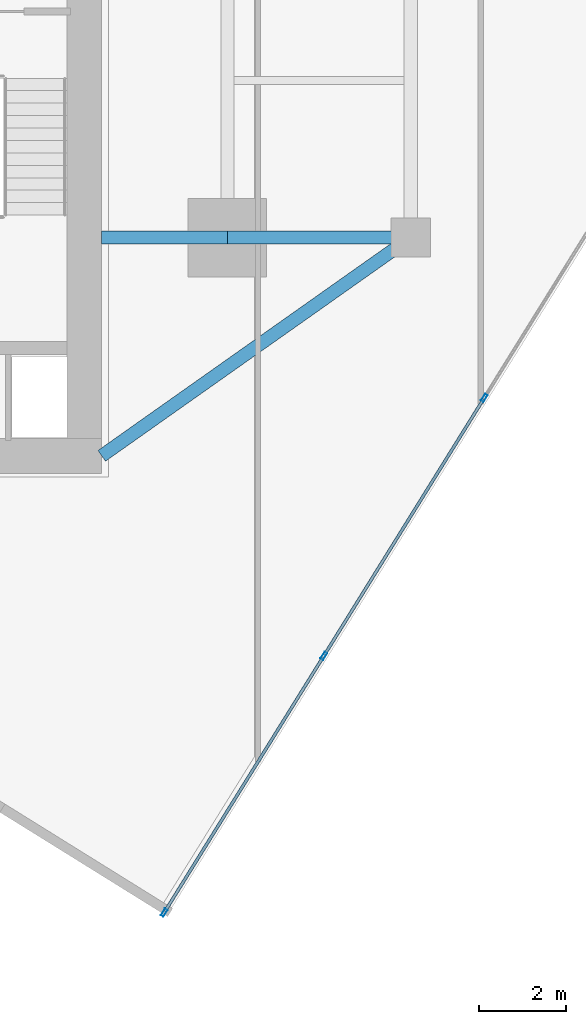
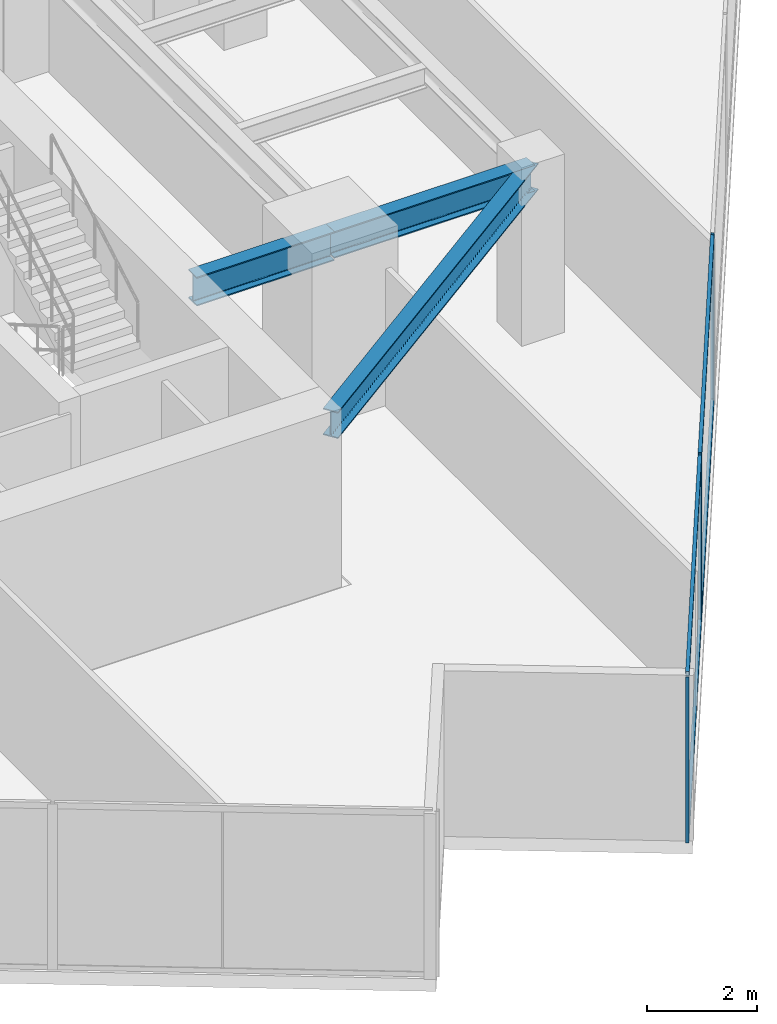
# One storey, part 9 of 26: 7 members, 3 beams, 1 element without a shape of its own.
"""IFC4 building model written with IfcOpenShell, lengths in metres."""

import ifcopenshell
import ifcopenshell.guid

model = None  # the IFC model being written
_history = None  # IfcOwnerHistory: only IFC2X3 demands one
_inside = {}  # id of a spatial element -> (the spatial element, [elements in it])
_under = {}  # id of a project, library or spatial element -> (it, [spatial elements below it])
_declared = {}  # id of a project -> (the project, [libraries it declares])
_typed = {}  # id of a type object -> (the type object, [elements of that type])
_made_of = {}  # id of a material, layer set ... -> (it, [elements and type objects made of it])


def new_model(schema):
    """Start an empty IFC model of exactly this schema.

    Asked for "IFC4X3", IfcOpenShell would pick the latest addendum, in which some entities
    have other attributes; the version numbers below select the first issue.
    IFC2X3 requires an IfcOwnerHistory on every rooted entity: one is made here for all.
    """
    global model, _history
    if schema == "IFC4X3":
        model = ifcopenshell.file(schema_version=(4, 3, 0, 0))
    else:
        model = ifcopenshell.file(schema=schema)
    _inside.clear()
    _under.clear()
    _declared.clear()
    _typed.clear()
    _made_of.clear()
    _history = None
    if model.schema == "IFC2X3":
        org = make("IfcOrganization", Name="unknown")
        user = make(
            "IfcPersonAndOrganization",
            ThePerson=make("IfcPerson", FamilyName="unknown"),
            TheOrganization=org,
        )
        app = make(
            "IfcApplication",
            ApplicationDeveloper=org,
            Version="unknown",
            ApplicationFullName="unknown",
            ApplicationIdentifier="unknown",
        )
        _history = make(
            "IfcOwnerHistory",
            OwningUser=user,
            OwningApplication=app,
            ChangeAction="ADDED",
            CreationDate=0,
        )
    return model


def make(cls, **values):
    """One entity of the class cls with the attributes given. An attribute that is None is left unset."""
    return model.create_entity(
        cls, **{name: value for name, value in values.items() if value is not None}
    )


def rooted(cls, **values):
    """An entity with a GlobalId (a new one), such as an element, a storey or a relation."""
    return make(cls, GlobalId=ifcopenshell.guid.new(), OwnerHistory=_history, **values)


def si_unit(unit_type, name, prefix=None):
    """IfcSIUnit, for example si_unit("LENGTHUNIT", "METRE", prefix="MILLI")."""
    return make("IfcSIUnit", UnitType=unit_type, Prefix=prefix, Name=name)


def assignment(units):
    """IfcUnitAssignment: the units of a project."""
    return None if units is None else make("IfcUnitAssignment", Units=units)


def point(xyz):
    """IfcCartesianPoint."""
    return None if xyz is None else make("IfcCartesianPoint", Coordinates=xyz)


def direction(xyz):
    """IfcDirection."""
    return None if xyz is None else make("IfcDirection", DirectionRatios=xyz)


def frame(location, z_axis=None, x_axis=None):
    """IfcAxis2Placement3D, a coordinate frame: its origin and axes. An axis left out is left unset."""
    return make(
        "IfcAxis2Placement3D",
        Location=point(location),
        Axis=direction(z_axis),
        RefDirection=direction(x_axis),
    )


def frame_2d(location, x_axis=None):
    """IfcAxis2Placement2D, a coordinate frame in the plane: its origin and x axis."""
    return make(
        "IfcAxis2Placement2D", Location=point(location), RefDirection=direction(x_axis)
    )


def origin():
    """The frame at (0, 0, 0) with its axes left unset."""
    return frame((0.0, 0.0, 0.0))


def origin_2d():
    """The frame at (0, 0) in the plane with its x axis left unset."""
    return frame_2d((0.0, 0.0))


def place(relative_to, where):
    """IfcLocalPlacement: puts the frame where relative to a parent placement (None: the world)."""
    return make(
        "IfcLocalPlacement", PlacementRelTo=relative_to, RelativePlacement=where
    )


def context(
    kind, dimensions, precision=None, world=None, true_north=None, identifier=None
):
    """IfcGeometricRepresentationContext, for example the 3D "Model" context."""
    return make(
        "IfcGeometricRepresentationContext",
        ContextIdentifier=identifier,
        ContextType=kind,
        CoordinateSpaceDimension=dimensions,
        Precision=precision,
        WorldCoordinateSystem=world,
        TrueNorth=true_north,
    )


def subcontext(parent, identifier, kind, view, scale=None):
    """IfcGeometricRepresentationSubContext, for example "Body" below "Model"."""
    return make(
        "IfcGeometricRepresentationSubContext",
        ContextIdentifier=identifier,
        ContextType=kind,
        ParentContext=parent,
        TargetScale=scale,
        TargetView=view,
    )


def project(units=None, contexts=None):
    """IfcProject with its units and contexts."""
    return rooted(
        "IfcProject",
        Name="project",
        RepresentationContexts=contexts,
        UnitsInContext=assignment(units),
    )


def spatial(cls, under=None, at=None, **own):
    """A site, building, storey or space (cls), placed at a placement, below another one or the project."""
    s = rooted(cls, ObjectPlacement=at, **own)
    if under is not None:
        _under.setdefault(under.id(), (under, []))[1].append(s)
    return s


def profile(cls, at=None, kind="AREA", **sizes):
    """A parametric profile (cls). Its sizes go by their IFC names, for example OverallWidth=200.0."""
    return make(cls, ProfileType=kind, Position=at, **sizes)


def hollow_rectangle(**sizes):
    """IfcRectangleHollowProfileDef."""
    return profile("IfcRectangleHollowProfileDef", **sizes)


def i_section(**sizes):
    """IfcIShapeProfileDef."""
    return profile("IfcIShapeProfileDef", **sizes)


def extrude(swept, where, along, depth):
    """IfcExtrudedAreaSolid: the profile swept, set in the frame where, extruded along a direction by depth."""
    return make(
        "IfcExtrudedAreaSolid",
        SweptArea=swept,
        Position=where,
        ExtrudedDirection=direction(along),
        Depth=depth,
    )


def shape(context_of_items, identifier, shape_type, items):
    """IfcShapeRepresentation: the items that make up one representation, for example the "Body"."""
    return make(
        "IfcShapeRepresentation",
        ContextOfItems=context_of_items,
        RepresentationIdentifier=identifier,
        RepresentationType=shape_type,
        Items=items,
    )


def source(mapping_origin, context_of_items, identifier, shape_type, items):
    """IfcRepresentationMap: a shape defined once, which mapped items show again and again."""
    return make(
        "IfcRepresentationMap",
        MappingOrigin=mapping_origin,
        MappedRepresentation=shape(context_of_items, identifier, shape_type, items),
    )


def transform(
    local_origin,
    x_axis=None,
    y_axis=None,
    z_axis=None,
    scale=None,
    scale2=None,
    scale3=None,
    uniform=True,
):
    """IfcCartesianTransformationOperator3D, or its non-uniform kind. x_axis, y_axis, z_axis: its Axis1, 2, 3."""
    if uniform:
        return make(
            "IfcCartesianTransformationOperator3D",
            Axis1=direction(x_axis),
            Axis2=direction(y_axis),
            LocalOrigin=point(local_origin),
            Scale=scale,
            Axis3=direction(z_axis),
        )
    return make(
        "IfcCartesianTransformationOperator3DnonUniform",
        Axis1=direction(x_axis),
        Axis2=direction(y_axis),
        LocalOrigin=point(local_origin),
        Scale=scale,
        Axis3=direction(z_axis),
        Scale2=scale2,
        Scale3=scale3,
    )


def mapped(mapping_source, mapping_target):
    """IfcMappedItem: shows the shape of a source again, moved by a transform."""
    return make(
        "IfcMappedItem", MappingSource=mapping_source, MappingTarget=mapping_target
    )


def material(Name=None, Category=None):
    """IfcMaterial."""
    return make("IfcMaterial", Name=Name, Category=Category)


def material_profile(
    of_material, cross_section, Name=None, Category=None, Priority=None
):
    """IfcMaterialProfile: a cross section and its material."""
    return make(
        "IfcMaterialProfile",
        Name=Name,
        Material=of_material,
        Profile=cross_section,
        Priority=Priority,
        Category=Category,
    )


def profile_set(profiles, Name=None, composite=None):
    """IfcMaterialProfileSet."""
    return make(
        "IfcMaterialProfileSet",
        Name=Name,
        MaterialProfiles=profiles,
        CompositeProfile=composite,
    )


def made_of(thing, what):
    """Note that an element or type object is made of a material, layer set ...; save() writes the relation."""
    if what is not None:
        _made_of.setdefault(what.id(), (what, []))[1].append(thing)
    return thing


def type_object(cls, material=None, **own):
    """A type object (cls), such as IfcWallType, which elements share."""
    return made_of(rooted(cls, **own), material)


def type_shapes(of_type, sources):
    """Give a type object the sources (RepresentationMaps) that its elements show as mapped items."""
    of_type.RepresentationMaps = sources


def element(
    cls,
    number,
    at=None,
    inside=None,
    cuts=None,
    type_object=None,
    material=None,
    context=None,
    identifier="Body",
    shape_type=None,
    held_by="IfcProductDefinitionShape",
    body=None,
    shapes=None,
    **own,
):
    """One element of the class cls, such as IfcWall. Its Tag is "e" and its number.

    at: its placement. inside: the storey or other place that contains it. cuts: it is an
    opening in that element (IfcRelVoidsElement). A single representation is given by context,
    identifier, shape_type and body (its items); several are given by shapes. held_by: the class
    of the entity that holds the representations. save() writes the other relations.
    """
    e = rooted(cls, Tag="e%d" % number, ObjectPlacement=at, **own)
    if body is not None:
        shapes = [shape(context, identifier, shape_type, body)]
    if shapes is not None:
        e.Representation = make(held_by, Representations=shapes)
    if inside is not None:
        _inside.setdefault(inside.id(), (inside, []))[1].append(e)
    if cuts is not None:
        rooted(
            "IfcRelVoidsElement", RelatingBuildingElement=cuts, RelatedOpeningElement=e
        )
    if type_object is not None:
        _typed.setdefault(type_object.id(), (type_object, []))[1].append(e)
    return made_of(e, material)


def aggregate(whole, parts):
    """IfcRelAggregates: a whole, such as a stair, and the parts it consists of."""
    return rooted("IfcRelAggregates", RelatingObject=whole, RelatedObjects=parts)


def save(model, path):
    """Write the relations noted so far, then the file.

    IfcRelAggregates (storeys below a building ...), IfcRelContainedInSpatialStructure (elements
    in a storey), IfcRelDefinesByType, IfcRelAssociatesMaterial and IfcRelDeclares: one each for
    every whole, place, type object, material and project.
    """
    for whole, parts in _under.values():
        aggregate(whole, parts)
    for where, things in _inside.values():
        rooted(
            "IfcRelContainedInSpatialStructure",
            RelatedElements=things,
            RelatingStructure=where,
        )
    for kind, things in _typed.values():
        rooted("IfcRelDefinesByType", RelatedObjects=things, RelatingType=kind)
    for what, things in _made_of.values():
        rooted("IfcRelAssociatesMaterial", RelatedObjects=things, RelatingMaterial=what)
    for by, libraries in _declared.values():
        rooted("IfcRelDeclares", RelatingContext=by, RelatedDefinitions=libraries)
    model.write(path)


model = new_model("IFC4")

# Units and contexts
model_context = context("Model", 3, precision=1e-05, world=origin(), true_north=direction((0.0, 1.0)))
body_context = subcontext(model_context, "Body", "Model", "MODEL_VIEW")
ifc_project = project(units=[si_unit("LENGTHUNIT", "METRE"), si_unit("AREAUNIT", "SQUARE_METRE"), si_unit("VOLUMEUNIT", "CUBIC_METRE"), si_unit("PLANEANGLEUNIT", "RADIAN"), si_unit("MASSUNIT", "GRAM", prefix="KILO")], contexts=[model_context])

# Site, building, storey
site_placement = place(None, origin())
site = spatial("IfcSite", under=ifc_project, at=site_placement, CompositionType="ELEMENT")
building_placement = place(site_placement, origin())
building = spatial("IfcBuilding", under=site, at=building_placement, Name="Krantzveldt Concourse Tower", CompositionType="ELEMENT")
storey_placement = place(building_placement, frame((0.0, 0.0, 173.85009765625)))
storey = spatial("IfcBuildingStorey", under=building, at=storey_placement, Name="L42", CompositionType="ELEMENT", Elevation=173.85009765625)

# Beams
ifc_material_1 = material(Name="Steel S355JR", Category="steel")
ifc_material_profile_1 = material_profile(ifc_material_1, i_section(OverallWidth=0.300048828125, OverallDepth=0.590087890625, WebThickness=0.012939453125, FlangeThickness=0.02490234375, FilletRadius=0.027099609375, at=origin_2d()), Name="Steel S355JR", Category="steel")
ifc_profile_set_1 = profile_set([ifc_material_profile_1], Name="Steel S355JR - HEA 600")
beam_type_1 = type_object("IfcBeamType", Name="BM-B-HEA600", PredefinedType="BEAM", material=ifc_profile_set_1)
shared_shape_1 = source(origin(), body_context, "Body", "SweptSolid", [
    extrude(i_section(OverallWidth=0.300048828125, OverallDepth=0.590087890625, WebThickness=0.012939453125, FlangeThickness=0.02490234375, FilletRadius=0.027099609375, at=origin_2d()), origin(), (0.0, 0.0, 1.0), 4.199951171875),
])
beam_1_placement = place(storey_placement, frame((46.800048828125, 15.89990234375, 3.375), z_axis=(1.0, 0.0, 0.0), x_axis=(0.0, 1.0, 0.0)))
element("IfcBeam", 1, at=beam_1_placement, inside=storey, type_object=beam_type_1, Name="L42 Tower Girder BR-RR1", PredefinedType="BEAM", context=body_context, shape_type="MappedRepresentation", body=[
    mapped(shared_shape_1, transform((0.0, 0.0, 0.0), x_axis=(1.0, 0.0, 0.0), y_axis=(0.0, 1.0, 0.0), z_axis=(0.0, 0.0, 1.0), scale=1.0)),
])
shared_shape_2 = source(origin(), body_context, "Body", "SweptSolid", [
    extrude(i_section(OverallWidth=0.300048828125, OverallDepth=0.590087890625, WebThickness=0.012939453125, FlangeThickness=0.02490234375, FilletRadius=0.027099609375, at=origin_2d()), origin(), (0.0, 0.0, 1.0), 8.667724609375),
])
type_shapes(beam_type_1, [shared_shape_1, shared_shape_2])
beam_2_placement = place(storey_placement, frame((51.0, 15.89990234375, 3.375), z_axis=(-0.81684294656, -0.576860122261, 0.0), x_axis=(0.576860122261, -0.81684294656, 0.0)))
element("IfcBeam", 2, at=beam_2_placement, inside=storey, type_object=beam_type_1, Name="L42 Tower Girder BR-CSE", PredefinedType="BEAM", context=body_context, shape_type="MappedRepresentation", body=[
    mapped(shared_shape_2, transform((0.0, 0.0, 0.0), x_axis=(1.0, 0.0, 0.0), y_axis=(0.0, 1.0, 0.0), z_axis=(0.0, 0.0, 1.0), scale=1.0)),
])
ifc_material_profile_2 = material_profile(ifc_material_1, i_section(OverallWidth=0.300048828125, OverallDepth=0.639892578125, WebThickness=0.013427734375, FlangeThickness=0.02587890625, FilletRadius=0.027099609375, at=origin_2d()), Name="Steel S355JR", Category="steel")
ifc_profile_set_2 = profile_set([ifc_material_profile_2], Name="Steel S355JR - HEA 650")
beam_type_2 = type_object("IfcBeamType", Name="BM-B-HEA650", PredefinedType="BEAM", material=ifc_profile_set_2)
shared_shape_3 = source(origin(), body_context, "Body", "SweptSolid", [
    extrude(i_section(OverallWidth=0.300048828125, OverallDepth=0.639892578125, WebThickness=0.013427734375, FlangeThickness=0.02587890625, FilletRadius=0.027099609375, at=origin_2d()), origin(), (0.0, 0.0, 1.0), 2.880126953125),
])
type_shapes(beam_type_2, [shared_shape_3])
beam_3_placement = place(storey_placement, frame((43.919921875, 15.89990234375, 3.349853515625), z_axis=(1.0, 0.0, 0.0), x_axis=(0.0, 1.0, 0.0)))
element("IfcBeam", 3, at=beam_3_placement, inside=storey, type_object=beam_type_2, Name="L42 Tower Girder BG-CE1", PredefinedType="BEAM", context=body_context, shape_type="MappedRepresentation", body=[
    mapped(shared_shape_3, transform((0.0, 0.0, 0.0), x_axis=(1.0, 0.0, 0.0), y_axis=(0.0, 1.0, 0.0), z_axis=(0.0, 0.0, 1.0), scale=1.0)),
])

# Curtain wall, members
ifc_material_2 = material(Name="Anodised aluminium 6063-T6", Category="aluminium")
curtain_wall_type = type_object("IfcCurtainWallType", Name="CW3", PredefinedType="USERDEFINED", material=ifc_material_2)
curtain_wall_placement = place(storey_placement, origin())
curtain_wall = element("IfcCurtainWall", 4, at=curtain_wall_placement, inside=storey, type_object=curtain_wall_type, Name="CW-L42-F07", ObjectType="UNITISED CURTAIN WALL", PredefinedType="USERDEFINED")
ifc_material_profile_3 = material_profile(ifc_material_2, hollow_rectangle(XDim=0.070068359375, YDim=0.179931640625, WallThickness=0.0048828125, at=origin_2d()), Name="Anodised aluminium 6063-T6", Category="aluminium")
ifc_profile_set_3 = profile_set([ifc_material_profile_3], Name="Anodised aluminium 6063-T6 - ALU-MULL 180x70x5")
member_type_1 = type_object("IfcMemberType", Name="CW-MUL-180", PredefinedType="MULLION", material=ifc_profile_set_3)
shared_shape_4 = source(origin(), body_context, "Body", "SweptSolid", [
    extrude(hollow_rectangle(XDim=0.070068359375, YDim=0.179931640625, WallThickness=0.0048828125, at=origin_2d()), origin(), (0.0, 0.0, 1.0), 3.669921875),
])
type_shapes(member_type_1, [shared_shape_4])
member_1_placement = place(storey_placement, frame((45.351318359375, 0.4365234375, 0.0), z_axis=(0.0, 0.0, 1.0), x_axis=(-0.84920214961, 0.528067901977, 0.0)))
member_1 = element("IfcMember", 5, at=member_1_placement, type_object=member_type_1, Name="CW-Z34 mullion 1", PredefinedType="MULLION", context=body_context, shape_type="MappedRepresentation", body=[
    mapped(shared_shape_4, transform((0.0, 0.0, 0.0), x_axis=(1.0, 0.0, 0.0), y_axis=(0.0, 1.0, 0.0), z_axis=(0.0, 0.0, 1.0), scale=1.0)),
])
member_2_placement = place(storey_placement, frame((49.008056640625, 6.317138671875, 0.0), z_axis=(0.0, 0.0, 1.0), x_axis=(-0.84920214961, 0.528067901977, 0.0)))
member_2 = element("IfcMember", 6, at=member_2_placement, type_object=member_type_1, Name="CW-Z34 mullion 2", PredefinedType="MULLION", context=body_context, shape_type="MappedRepresentation", body=[
    mapped(shared_shape_4, transform((0.0, 0.0, 0.0), x_axis=(1.0, 0.0, 0.0), y_axis=(0.0, 1.0, 0.0), z_axis=(0.0, 0.0, 1.0), scale=1.0)),
])
member_3_placement = place(storey_placement, frame((52.683349609375, 12.2275390625, 0.0), z_axis=(0.0, 0.0, 1.0), x_axis=(-0.84920214961, 0.528067901977, 0.0)))
member_3 = element("IfcMember", 7, at=member_3_placement, type_object=member_type_1, Name="CW-Z34 mullion 3", PredefinedType="MULLION", context=body_context, shape_type="MappedRepresentation", body=[
    mapped(shared_shape_4, transform((0.0, 0.0, 0.0), x_axis=(1.0, 0.0, 0.0), y_axis=(0.0, 1.0, 0.0), z_axis=(0.0, 0.0, 1.0), scale=1.0)),
])
ifc_material_profile_4 = material_profile(ifc_material_2, hollow_rectangle(XDim=0.070068359375, YDim=0.139892578125, WallThickness=0.0048828125, at=origin_2d()), Name="Anodised aluminium 6063-T6", Category="aluminium")
ifc_profile_set_4 = profile_set([ifc_material_profile_4], Name="Anodised aluminium 6063-T6 - ALU-TRAN 140x70x5")
member_type_2 = type_object("IfcMemberType", Name="CW-TRN-150", PredefinedType="USERDEFINED", material=ifc_profile_set_4)
shared_shape_5 = source(origin(), body_context, "Body", "SweptSolid", [
    extrude(hollow_rectangle(XDim=0.070068359375, YDim=0.139892578125, WallThickness=0.0048828125, at=origin_2d()), origin(), (0.0, 0.0, 1.0), 6.85498046875),
])
member_4_placement = place(storey_placement, frame((45.36962890625, 0.466064453125, 0.034912109375), z_axis=(0.52806394654, 0.849204609246, 0.0), x_axis=(-0.849204609246, 0.52806394654, 0.0)))
member_4 = element("IfcMember", 8, at=member_4_placement, type_object=member_type_2, Name="CW-Z34 transom 1.1", ObjectType="TRANSOM", PredefinedType="USERDEFINED", context=body_context, shape_type="MappedRepresentation", body=[
    mapped(shared_shape_5, transform((0.0, 0.0, 0.0), x_axis=(1.0, 0.0, 0.0), y_axis=(0.0, 1.0, 0.0), z_axis=(0.0, 0.0, 1.0), scale=1.0)),
])
member_5_placement = place(storey_placement, frame((45.36962890625, 0.466064453125, 3.635009765625), z_axis=(0.52806394654, 0.849204609246, 0.0), x_axis=(-0.849204609246, 0.52806394654, 0.0)))
member_5 = element("IfcMember", 9, at=member_5_placement, type_object=member_type_2, Name="CW-Z34 transom 1.2", ObjectType="TRANSOM", PredefinedType="USERDEFINED", context=body_context, shape_type="MappedRepresentation", body=[
    mapped(shared_shape_5, transform((0.0, 0.0, 0.0), x_axis=(1.0, 0.0, 0.0), y_axis=(0.0, 1.0, 0.0), z_axis=(0.0, 0.0, 1.0), scale=1.0)),
])
shared_shape_6 = source(origin(), body_context, "Body", "SweptSolid", [
    extrude(hollow_rectangle(XDim=0.070068359375, YDim=0.139892578125, WallThickness=0.0048828125, at=origin_2d()), origin(), (0.0, 0.0, 1.0), 6.89013671875),
])
type_shapes(member_type_2, [shared_shape_5, shared_shape_6])
member_6_placement = place(storey_placement, frame((49.026611328125, 6.346923828125, 0.034912109375), z_axis=(0.528067429464, 0.849202443437, 0.0), x_axis=(-0.849202443437, 0.528067429464, 0.0)))
member_6 = element("IfcMember", 10, at=member_6_placement, type_object=member_type_2, Name="CW-Z34 transom 2.1", ObjectType="TRANSOM", PredefinedType="USERDEFINED", context=body_context, shape_type="MappedRepresentation", body=[
    mapped(shared_shape_6, transform((0.0, 0.0, 0.0), x_axis=(1.0, 0.0, 0.0), y_axis=(0.0, 1.0, 0.0), z_axis=(0.0, 0.0, 1.0), scale=1.0)),
])
member_7_placement = place(storey_placement, frame((49.026611328125, 6.346923828125, 3.635009765625), z_axis=(0.528067429464, 0.849202443437, 0.0), x_axis=(-0.849202443437, 0.528067429464, 0.0)))
member_7 = element("IfcMember", 11, at=member_7_placement, type_object=member_type_2, Name="CW-Z34 transom 2.2", ObjectType="TRANSOM", PredefinedType="USERDEFINED", context=body_context, shape_type="MappedRepresentation", body=[
    mapped(shared_shape_6, transform((0.0, 0.0, 0.0), x_axis=(1.0, 0.0, 0.0), y_axis=(0.0, 1.0, 0.0), z_axis=(0.0, 0.0, 1.0), scale=1.0)),
])
aggregate(curtain_wall, [member_1, member_2, member_3, member_4, member_5, member_6, member_7])

save(model, "model.ifc")
